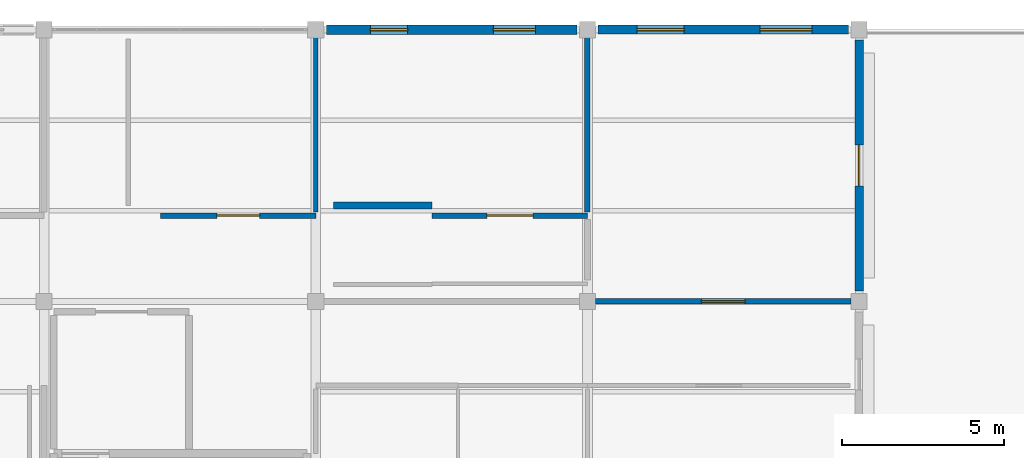
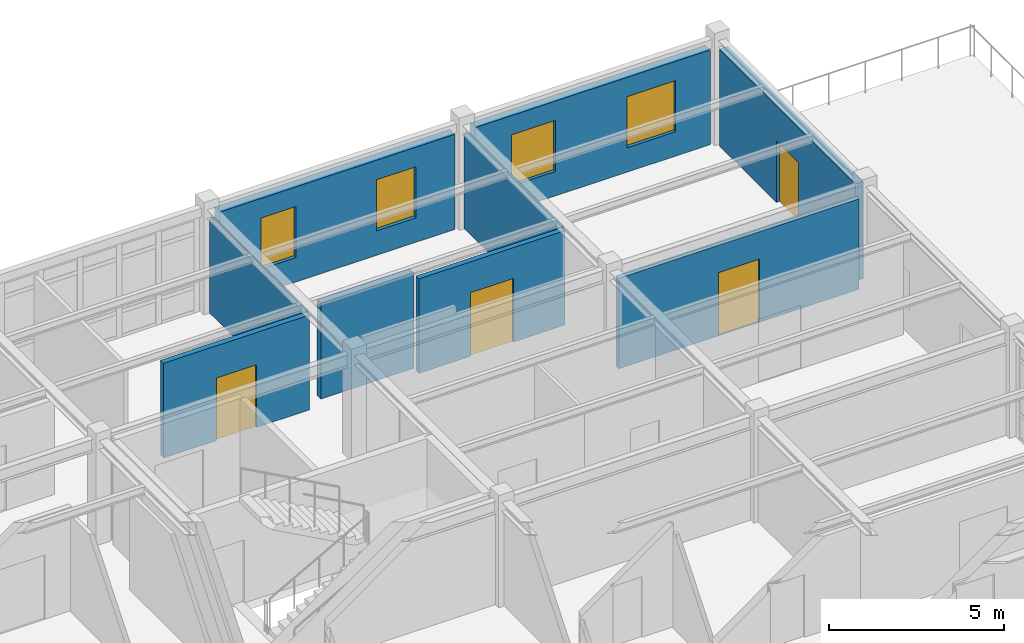
# One storey, part 59 of 70: 9 walls, 4 doors, 4 windows, 8 openings.
"""IFC4 building model written with IfcOpenShell, lengths in metres."""

from ifc_helpers import new_model, si_unit, direction, frame, frame_2d, origin, place, context, subcontext, project, spatial, rectangle, extrude, material, layer, layer_set, type_object, element, fill, save


model = new_model("IFC4")

# Units and contexts
model_context = context("Model", 3, precision=1e-05, world=origin(), true_north=direction((0.0, 1.0)))
body_context = subcontext(model_context, "Body", "Model", "MODEL_VIEW")
ifc_project = project(units=[si_unit("LENGTHUNIT", "METRE"), si_unit("AREAUNIT", "SQUARE_METRE"), si_unit("VOLUMEUNIT", "CUBIC_METRE"), si_unit("PLANEANGLEUNIT", "RADIAN"), si_unit("MASSUNIT", "GRAM", prefix="KILO")], contexts=[model_context])

# Site, building, storey
site_placement = place(None, origin())
site = spatial("IfcSite", under=ifc_project, at=site_placement, CompositionType="ELEMENT")
building_placement = place(site_placement, origin())
building = spatial("IfcBuilding", under=site, at=building_placement, Name="Bramfleet General Hospital", CompositionType="ELEMENT")
storey_placement = place(building_placement, frame((0.0, 0.0, 22.5)))
storey = spatial("IfcBuildingStorey", under=building, at=storey_placement, Name="L05", CompositionType="ELEMENT", Elevation=22.5)

# Wall, openings, windows
ifc_material_1 = material(Name="Precast concrete C40/50", Category="concrete")
ifc_layer_1 = layer(ifc_material_1, 0.294921875, Name="WT-EW-05")
ifc_layer_set_1 = layer_set([ifc_layer_1], Name="Precast concrete C40/50")
wall_type_1 = type_object("IfcWallType", Name="WT-EW-05", PredefinedType="SOLIDWALL", material=ifc_layer_set_1)
wall_1_placement = place(storey_placement, frame((143.125, 117.60009765625, 0.0), z_axis=(0.0, 0.0, 1.0), x_axis=(1.0, 0.0, 0.0)))
wall_1 = element("IfcWall", 1, at=wall_1_placement, inside=storey, type_object=wall_type_1, Name="L05 Exterior Wall 353", PredefinedType="SOLIDWALL", context=body_context, shape_type="SweptSolid", body=[
    extrude(rectangle(XDim=7.75, YDim=0.294921875, at=frame_2d((3.875, 0.0))), origin(), (0.0, 0.0, 1.0), 3.31005859375),
])
opening_1_placement = place(wall_1_placement, frame((1.362548828125, 0.0, 0.85009765625)))
opening_1 = element("IfcOpeningElement", 2, at=opening_1_placement, cuts=wall_1, Name="Opening W-41", PredefinedType="OPENING", context=body_context, shape_type="SweptSolid", body=[
    extrude(rectangle(XDim=1.14990234375, YDim=1.780029296875, at=frame_2d((0.574951171875, 0.89013671875))), frame((0.0, 0.157470703125, 0.0), z_axis=(0.0, -1.0, 0.0), x_axis=(1.0, 0.0, 0.0)), (0.0, 0.0, 1.0), 0.31494140625),
])
opening_2_placement = place(wall_1_placement, frame((5.16259765625, 0.0, 0.85009765625)))
opening_2 = element("IfcOpeningElement", 3, at=opening_2_placement, cuts=wall_1, Name="Opening W-42", PredefinedType="OPENING", context=body_context, shape_type="SweptSolid", body=[
    extrude(rectangle(XDim=1.300048828125, YDim=1.780029296875, at=frame_2d((0.64990234375, 0.89013671875))), frame((0.0, 0.157470703125, 0.0), z_axis=(0.0, -1.0, 0.0), x_axis=(1.0, 0.0, 0.0)), (0.0, 0.0, 1.0), 0.31494140625),
])
ifc_material_2 = material(Name="Anodised aluminium and low-E triple glazing", Category="aluminium")
window_type_1 = type_object("IfcWindowType", Name="WIN-W-41", PartitioningType="SINGLE_PANEL", PredefinedType="WINDOW", material=ifc_material_2)
window_1_placement = place(opening_1_placement, origin())
window_1 = element("IfcWindow", 4, at=window_1_placement, inside=storey, type_object=window_type_1, Name="L05 Facade Window WIN-L05-353-1", OverallHeight=1.780029296875, OverallWidth=1.14990234375, PartitioningType="SINGLE_PANEL", PredefinedType="WINDOW", context=body_context, shape_type="SweptSolid", body=[
    extrude(rectangle(XDim=1.14990234375, YDim=1.780029296875, at=frame_2d((0.574951171875, 0.89013671875))), frame((0.0, 0.030029296875, 0.0), z_axis=(0.0, -1.0, 0.0), x_axis=(1.0, 0.0, 0.0)), (0.0, 0.0, 1.0), 0.06005859375),
])
fill(opening_1, window_1)
window_type_2 = type_object("IfcWindowType", Name="WIN-W-42", PartitioningType="SINGLE_PANEL", PredefinedType="WINDOW", material=ifc_material_2)
window_2_placement = place(opening_2_placement, origin())
window_2 = element("IfcWindow", 5, at=window_2_placement, inside=storey, type_object=window_type_2, Name="L05 Facade Window WIN-L05-353-2", OverallHeight=1.780029296875, OverallWidth=1.300048828125, PartitioningType="SINGLE_PANEL", PredefinedType="WINDOW", context=body_context, shape_type="SweptSolid", body=[
    extrude(rectangle(XDim=1.300048828125, YDim=1.780029296875, at=frame_2d((0.64990234375, 0.89013671875))), frame((0.0, 0.030029296875, 0.0), z_axis=(0.0, -1.0, 0.0), x_axis=(1.0, 0.0, 0.0)), (0.0, 0.0, 1.0), 0.06005859375),
])
fill(opening_2, window_2)

ifc_layer_2 = layer(ifc_material_1, 0.280029296875, Name="WT-EW-06")
ifc_layer_set_2 = layer_set([ifc_layer_2], Name="Precast concrete C40/50")
wall_type_2 = type_object("IfcWallType", Name="WT-EW-06", PredefinedType="SOLIDWALL", material=ifc_layer_set_2)
wall_2_placement = place(storey_placement, frame((151.52490234375, 117.60009765625, 0.0), z_axis=(0.0, 0.0, 1.0), x_axis=(1.0, 0.0, 0.0)))
wall_2 = element("IfcWall", 6, at=wall_2_placement, inside=storey, type_object=wall_type_2, Name="L05 Exterior Wall 354", PredefinedType="SOLIDWALL", context=body_context, shape_type="SweptSolid", body=[
    extrude(rectangle(XDim=7.75, YDim=0.280029296875, at=frame_2d((3.875, 0.0))), origin(), (0.0, 0.0, 1.0), 3.300048828125),
])
opening_3_placement = place(wall_2_placement, frame((1.21240234375, 0.0, 0.85009765625)))
opening_3 = element("IfcOpeningElement", 7, at=opening_3_placement, cuts=wall_2, Name="Opening W-43", PredefinedType="OPENING", context=body_context, shape_type="SweptSolid", body=[
    extrude(rectangle(XDim=1.449951171875, YDim=1.780029296875, at=frame_2d((0.72509765625, 0.89013671875))), frame((0.0, 0.14990234375, 0.0), z_axis=(0.0, -1.0, 0.0), x_axis=(1.0, 0.0, 0.0)), (0.0, 0.0, 1.0), 0.300048828125),
])
opening_4_placement = place(wall_2_placement, frame((5.012451171875, 0.0, 0.85009765625)))
opening_4 = element("IfcOpeningElement", 8, at=opening_4_placement, cuts=wall_2, Name="Opening W-44", PredefinedType="OPENING", context=body_context, shape_type="SweptSolid", body=[
    extrude(rectangle(XDim=1.60009765625, YDim=1.780029296875, at=frame_2d((0.800048828125, 0.89013671875))), frame((0.0, 0.14990234375, 0.0), z_axis=(0.0, -1.0, 0.0), x_axis=(1.0, 0.0, 0.0)), (0.0, 0.0, 1.0), 0.300048828125),
])
window_type_3 = type_object("IfcWindowType", Name="WIN-W-43", PartitioningType="SINGLE_PANEL", PredefinedType="WINDOW", material=ifc_material_2)
window_3_placement = place(opening_3_placement, origin())
window_3 = element("IfcWindow", 9, at=window_3_placement, inside=storey, type_object=window_type_3, Name="L05 Facade Window WIN-L05-354-1", OverallHeight=1.780029296875, OverallWidth=1.449951171875, PartitioningType="SINGLE_PANEL", PredefinedType="WINDOW", context=body_context, shape_type="SweptSolid", body=[
    extrude(rectangle(XDim=1.449951171875, YDim=1.780029296875, at=frame_2d((0.72509765625, 0.89013671875))), frame((0.0, 0.030029296875, 0.0), z_axis=(0.0, -1.0, 0.0), x_axis=(1.0, 0.0, 0.0)), (0.0, 0.0, 1.0), 0.06005859375),
])
fill(opening_3, window_3)
window_type_4 = type_object("IfcWindowType", Name="WIN-W-44", PartitioningType="SINGLE_PANEL", PredefinedType="WINDOW", material=ifc_material_2)
window_4_placement = place(opening_4_placement, origin())
window_4 = element("IfcWindow", 10, at=window_4_placement, inside=storey, type_object=window_type_4, Name="L05 Facade Window WIN-L05-354-2", OverallHeight=1.780029296875, OverallWidth=1.60009765625, PartitioningType="SINGLE_PANEL", PredefinedType="WINDOW", context=body_context, shape_type="SweptSolid", body=[
    extrude(rectangle(XDim=1.60009765625, YDim=1.780029296875, at=frame_2d((0.800048828125, 0.89013671875))), frame((0.0, 0.030029296875, 0.0), z_axis=(0.0, -1.0, 0.0), x_axis=(1.0, 0.0, 0.0)), (0.0, 0.0, 1.0), 0.06005859375),
])
fill(opening_4, window_4)

# Wall, opening, door
ifc_layer_3 = layer(ifc_material_1, 0.264892578125, Name="WT-EW-07")
ifc_layer_set_3 = layer_set([ifc_layer_3], Name="Precast concrete C40/50")
wall_type_3 = type_object("IfcWallType", Name="WT-EW-07", PredefinedType="SOLIDWALL", material=ifc_layer_set_3)
wall_3_placement = place(storey_placement, frame((159.60009765625, 117.27490234375, 0.0), z_axis=(0.0, 0.0, 1.0), x_axis=(0.0, -1.0, 0.0)))
wall_3 = element("IfcWall", 11, at=wall_3_placement, inside=storey, type_object=wall_type_3, Name="L05 Exterior Wall 355", PredefinedType="SOLIDWALL", context=body_context, shape_type="SweptSolid", body=[
    extrude(rectangle(XDim=7.75, YDim=0.264892578125, at=frame_2d((3.875, 0.0))), origin(), (0.0, 0.0, 1.0), 3.3701171875),
])
opening_5_placement = place(wall_3_placement, frame((3.2451171875, 0.0, 0.0)))
opening_5 = element("IfcOpeningElement", 12, at=opening_5_placement, cuts=wall_3, Name="Opening D-L05-TER-029", PredefinedType="OPENING", context=body_context, shape_type="SweptSolid", body=[
    extrude(rectangle(XDim=1.260009765625, YDim=2.14990234375, at=frame_2d((0.6298828125, 1.074951171875))), frame((0.0, 0.142333984375, 0.0), z_axis=(0.0, -1.0, 0.0), x_axis=(1.0, 0.0, 0.0)), (0.0, 0.0, 1.0), 0.284912109375),
])
ifc_material_3 = material(Name="Thermally broken steel and laminated safety glass", Category="steel")
door_type_1 = type_object("IfcDoorType", Name="DR-ED-05", OperationType="NOTDEFINED", PredefinedType="DOOR", material=ifc_material_3)
door_1_placement = place(opening_5_placement, origin())
door_1 = element("IfcDoor", 13, at=door_1_placement, inside=storey, type_object=door_type_1, Name="L05 Terrace Pedestrian Access Door D-L05-TER-029", OperationType="SINGLE_SWING_RIGHT", OverallHeight=2.14990234375, OverallWidth=1.260009765625, PredefinedType="DOOR", context=body_context, shape_type="SweptSolid", body=[
    extrude(rectangle(XDim=1.260009765625, YDim=2.14990234375, at=frame_2d((0.6298828125, 1.074951171875))), frame((0.0, 0.02490234375, 0.0), z_axis=(0.0, -1.0, 0.0), x_axis=(1.0, 0.0, 0.0)), (0.0, 0.0, 1.0), 0.050048828125),
])
fill(opening_5, door_1)

# Wall
ifc_material_4 = material(Name="Concrete C35/45", Category="concrete")
ifc_layer_4 = layer(ifc_material_4, 0.219970703125, Name="WT-IW-01")
ifc_layer_set_4 = layer_set([ifc_layer_4], Name="Concrete C35/45")
wall_type_4 = type_object("IfcWallType", Name="WT-IW-01", PredefinedType="PARTITIONING", material=ifc_layer_set_4)
wall_4_placement = place(storey_placement, frame((143.35009765625, 112.169921875, 0.0), z_axis=(0.0, 0.0, 1.0), x_axis=(1.0, 0.0, 0.0)))
element("IfcWall", 14, at=wall_4_placement, inside=storey, type_object=wall_type_4, Name="L05 Interior Partition IW-L05-3661", PredefinedType="PARTITIONING", context=body_context, shape_type="SweptSolid", body=[
    extrude(rectangle(XDim=3.0498046875, YDim=0.219970703125, at=frame_2d((1.52490234375, 0.0))), origin(), (0.0, 0.0, 1.0), 3.340087890625),
])

# Wall, opening, door
ifc_layer_5 = layer(ifc_material_4, 0.179931640625, Name="WT-IW-04")
ifc_layer_set_5 = layer_set([ifc_layer_5], Name="Concrete C35/45")
wall_type_5 = type_object("IfcWallType", Name="WT-IW-04", PredefinedType="PARTITIONING", material=ifc_layer_set_5)
wall_5_placement = place(storey_placement, frame((138.0, 111.85009765625, 0.0), z_axis=(0.0, 0.0, 1.0), x_axis=(1.0, 0.0, 0.0)))
wall_5 = element("IfcWall", 15, at=wall_5_placement, inside=storey, type_object=wall_type_5, Name="L05 Interior Partition IW-L05-3652", PredefinedType="PARTITIONING", context=body_context, shape_type="SweptSolid", body=[
    extrude(rectangle(XDim=4.800048828125, YDim=0.179931640625, at=frame_2d((2.39990234375, 0.0))), origin(), (0.0, 0.0, 1.0), 3.300048828125),
])
opening_6_placement = place(wall_5_placement, frame((1.739990234375, 0.0, 0.0)))
opening_6 = element("IfcOpeningElement", 16, at=opening_6_placement, cuts=wall_5, Name="Opening D1432", PredefinedType="OPENING", context=body_context, shape_type="SweptSolid", body=[
    extrude(rectangle(XDim=1.320068359375, YDim=2.179931640625, at=frame_2d((0.66015625, 1.08984375))), frame((0.0, 0.099853515625, 0.0), z_axis=(0.0, -1.0, 0.0), x_axis=(1.0, 0.0, 0.0)), (0.0, 0.0, 1.0), 0.199951171875),
])
ifc_material_5 = material(Name="Stainless steel and acoustic timber leaf", Category="steel")
door_type_2 = type_object("IfcDoorType", Name="DR-D-24", OperationType="NOTDEFINED", PredefinedType="DOOR", material=ifc_material_5)
door_2_placement = place(opening_6_placement, origin())
door_2 = element("IfcDoor", 17, at=door_2_placement, inside=storey, type_object=door_type_2, Name="Medical and Cardiology Ward Bedroom L05-1613 Door D1432", OperationType="SINGLE_SWING_LEFT", OverallHeight=2.179931640625, OverallWidth=1.320068359375, PredefinedType="DOOR", context=body_context, shape_type="SweptSolid", body=[
    extrude(rectangle(XDim=1.320068359375, YDim=2.179931640625, at=frame_2d((0.66015625, 1.08984375))), frame((0.0, 0.02490234375, 0.0), z_axis=(0.0, -1.0, 0.0), x_axis=(1.0, 0.0, 0.0)), (0.0, 0.0, 1.0), 0.050048828125),
])
fill(opening_6, door_2)

ifc_material_6 = material(Name="Gypsum plasterboard on acoustic steel studs", Category="steel")
ifc_layer_6 = layer(ifc_material_6, 0.169921875, Name="WT-IW-05")
ifc_layer_set_6 = layer_set([ifc_layer_6], Name="Gypsum plasterboard on acoustic steel studs")
wall_type_6 = type_object("IfcWallType", Name="WT-IW-05", PredefinedType="PARTITIONING", material=ifc_layer_set_6)
wall_6_placement = place(storey_placement, frame((151.445068359375, 109.199951171875, 0.0), z_axis=(0.0, 0.0, 1.0), x_axis=(1.0, 0.0, 0.0)))
wall_6 = element("IfcWall", 18, at=wall_6_placement, inside=storey, type_object=wall_type_6, Name="L05 Interior Partition IW-L05-3641", PredefinedType="PARTITIONING", context=body_context, shape_type="SweptSolid", body=[
    extrude(rectangle(XDim=7.909912109375, YDim=0.169921875, at=frame_2d((3.955078125, 0.0))), origin(), (0.0, 0.0, 1.0), 3.14990234375),
])
opening_7_placement = place(wall_6_placement, frame((3.280029296875, 0.0, 0.0)))
opening_7 = element("IfcOpeningElement", 19, at=opening_7_placement, cuts=wall_6, Name="Opening D1442", PredefinedType="OPENING", context=body_context, shape_type="SweptSolid", body=[
    extrude(rectangle(XDim=1.35009765625, YDim=2.199951171875, at=frame_2d((0.675048828125, 1.10009765625))), frame((0.0, 0.094970703125, 0.0), z_axis=(0.0, -1.0, 0.0), x_axis=(1.0, 0.0, 0.0)), (0.0, 0.0, 1.0), 0.18994140625),
])
door_type_3 = type_object("IfcDoorType", Name="DR-D-02", OperationType="NOTDEFINED", PredefinedType="DOOR", material=ifc_material_5)
door_3_placement = place(opening_7_placement, origin())
door_3 = element("IfcDoor", 20, at=door_3_placement, inside=storey, type_object=door_type_3, Name="Patient Dayroom and Garden Lounge L05-1813 Door D1442", OperationType="SINGLE_SWING_LEFT", OverallHeight=2.199951171875, OverallWidth=1.35009765625, PredefinedType="DOOR", context=body_context, shape_type="SweptSolid", body=[
    extrude(rectangle(XDim=1.35009765625, YDim=2.199951171875, at=frame_2d((0.675048828125, 1.10009765625))), frame((0.0, 0.02490234375, 0.0), z_axis=(0.0, -1.0, 0.0), x_axis=(1.0, 0.0, 0.0)), (0.0, 0.0, 1.0), 0.050048828125),
])
fill(opening_7, door_3)

wall_7_placement = place(storey_placement, frame((146.39990234375, 111.85009765625, 0.0), z_axis=(0.0, 0.0, 1.0), x_axis=(1.0, 0.0, 0.0)))
wall_7 = element("IfcWall", 21, at=wall_7_placement, inside=storey, type_object=wall_type_6, Name="L05 Interior Partition IW-L05-3653", PredefinedType="PARTITIONING", context=body_context, shape_type="SweptSolid", body=[
    extrude(rectangle(XDim=4.800048828125, YDim=0.169921875, at=frame_2d((2.39990234375, 0.0))), origin(), (0.0, 0.0, 1.0), 3.2900390625),
])
opening_8_placement = place(wall_7_placement, frame((1.68994140625, 0.0, 0.0)))
opening_8 = element("IfcOpeningElement", 22, at=opening_8_placement, cuts=wall_7, Name="Opening D1439", PredefinedType="OPENING", context=body_context, shape_type="SweptSolid", body=[
    extrude(rectangle(XDim=1.419921875, YDim=2.219970703125, at=frame_2d((0.7099609375, 1.10986328125))), frame((0.0, 0.094970703125, 0.0), z_axis=(0.0, -1.0, 0.0), x_axis=(1.0, 0.0, 0.0)), (0.0, 0.0, 1.0), 0.18994140625),
])
door_type_4 = type_object("IfcDoorType", Name="DR-D-31", OperationType="NOTDEFINED", PredefinedType="DOOR", material=ifc_material_5)
door_4_placement = place(opening_8_placement, origin())
door_4 = element("IfcDoor", 23, at=door_4_placement, inside=storey, type_object=door_type_4, Name="Medical and Cardiology Ward Bedroom L05-1713 Door D1439", OperationType="SINGLE_SWING_RIGHT", OverallHeight=2.219970703125, OverallWidth=1.419921875, PredefinedType="DOOR", context=body_context, shape_type="SweptSolid", body=[
    extrude(rectangle(XDim=1.419921875, YDim=2.219970703125, at=frame_2d((0.7099609375, 1.10986328125))), frame((0.0, 0.02490234375, 0.0), z_axis=(0.0, -1.0, 0.0), x_axis=(1.0, 0.0, 0.0)), (0.0, 0.0, 1.0), 0.050048828125),
])
fill(opening_8, door_4)

# Walls
wall_8_placement = place(storey_placement, frame((151.199951171875, 111.965087890625, 0.0), z_axis=(0.0, 0.0, 1.0), x_axis=(0.0, 1.0, 0.0)))
element("IfcWall", 24, at=wall_8_placement, inside=storey, type_object=wall_type_6, Name="L05 Interior Partition IW-L05-3833", PredefinedType="PARTITIONING", context=body_context, shape_type="SweptSolid", body=[
    extrude(rectangle(XDim=5.389892578125, YDim=0.169921875, at=frame_2d((2.69482421875, 0.0))), origin(), (0.0, 0.0, 1.0), 3.2900390625),
])
ifc_layer_7 = layer(ifc_material_6, 0.1298828125, Name="WT-IW-09")
ifc_layer_set_7 = layer_set([ifc_layer_7], Name="Gypsum plasterboard on acoustic steel studs")
wall_type_7 = type_object("IfcWallType", Name="WT-IW-09", PredefinedType="PARTITIONING", material=ifc_layer_set_7)
wall_9_placement = place(storey_placement, frame((142.800048828125, 111.965087890625, 0.0), z_axis=(0.0, 0.0, 1.0), x_axis=(0.0, 1.0, 0.0)))
element("IfcWall", 25, at=wall_9_placement, inside=storey, type_object=wall_type_7, Name="L05 Interior Partition IW-L05-3825", PredefinedType="PARTITIONING", context=body_context, shape_type="SweptSolid", body=[
    extrude(rectangle(XDim=5.389892578125, YDim=0.1298828125, at=frame_2d((2.69482421875, 0.0))), origin(), (0.0, 0.0, 1.0), 3.300048828125),
])

save(model, "model.ifc")
